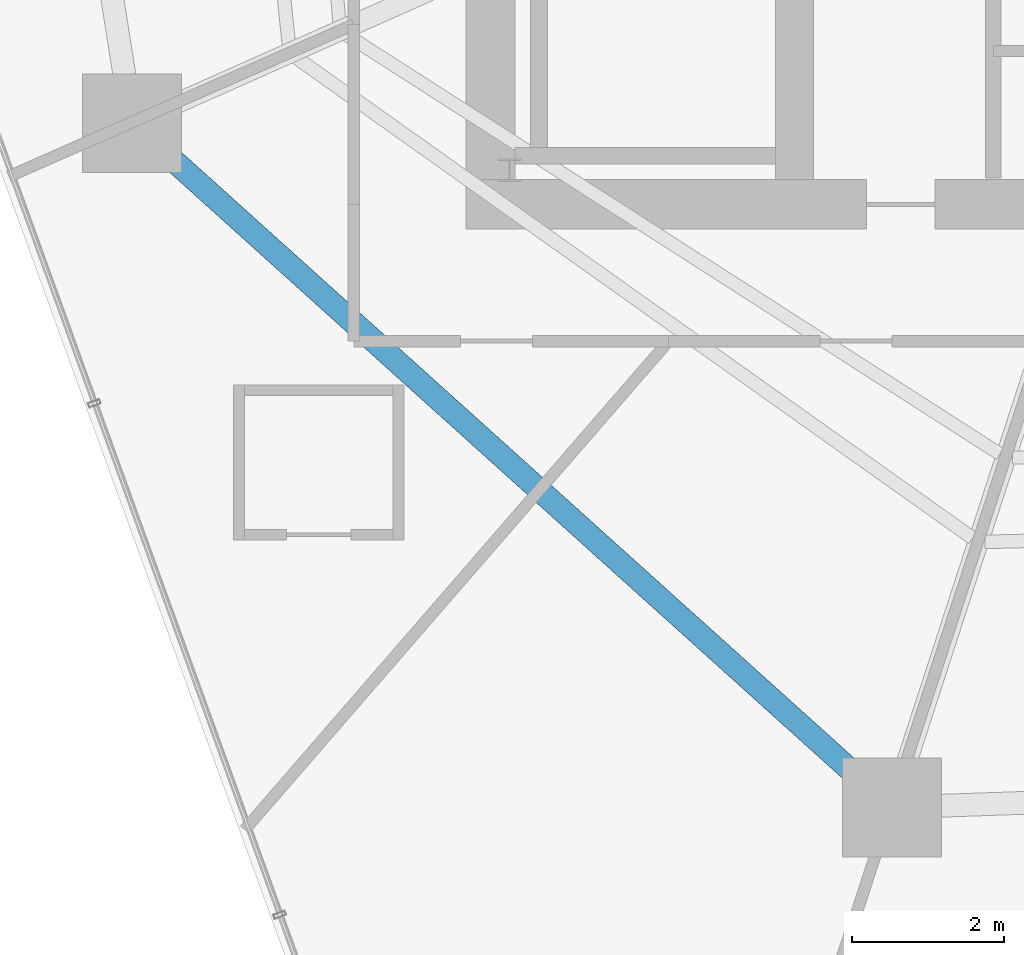
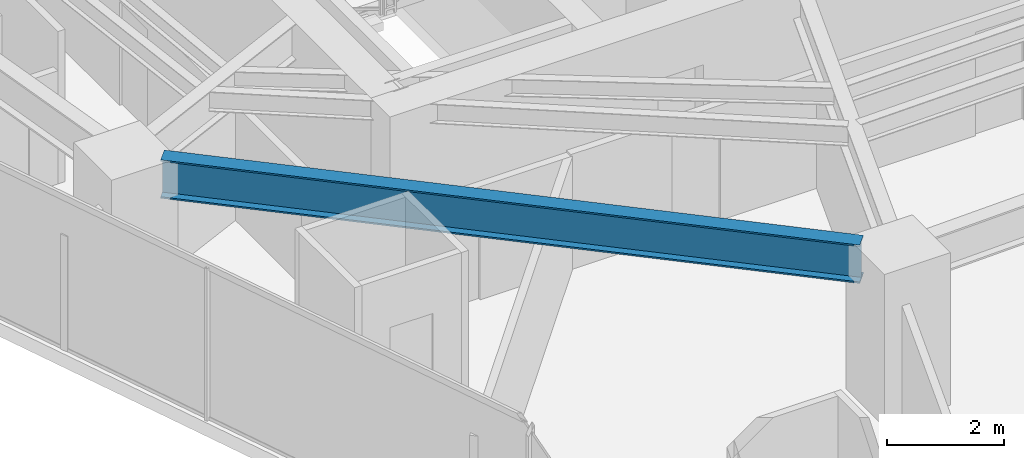
# One storey, part 4 of 33: 1 beam.
"""IFC4 building model written with IfcOpenShell, lengths in metres."""

from ifc_helpers import new_model, si_unit, direction, frame, origin, origin_2d, place, context, subcontext, project, spatial, i_section, extrude, material, material_profile, profile_set, type_object, element, save


model = new_model("IFC4")

# Units and contexts
model_context = context("Model", 3, precision=1e-05, world=origin(), true_north=direction((0.0, 1.0)))
body_context = subcontext(model_context, "Body", "Model", "MODEL_VIEW")
ifc_project = project(units=[si_unit("LENGTHUNIT", "METRE"), si_unit("AREAUNIT", "SQUARE_METRE"), si_unit("VOLUMEUNIT", "CUBIC_METRE"), si_unit("PLANEANGLEUNIT", "RADIAN"), si_unit("MASSUNIT", "GRAM", prefix="KILO")], contexts=[model_context])

# Site, building, storey
site_placement = place(None, origin())
site = spatial("IfcSite", under=ifc_project, at=site_placement, CompositionType="ELEMENT")
building_placement = place(site_placement, origin())
building = spatial("IfcBuilding", under=site, at=building_placement, Name="Qarnah Convention Tower", CompositionType="ELEMENT")
storey_placement = place(building_placement, frame((0.0, 0.0, 30.449951171875)))
storey = spatial("IfcBuildingStorey", under=building, at=storey_placement, Name="L06", CompositionType="ELEMENT", Elevation=30.449951171875)

# Beam
ifc_material = material(Name="Structural steel S355JR", Category="steel")
ifc_material_profile = material_profile(ifc_material, i_section(OverallWidth=0.300048828125, OverallDepth=0.800048828125, WebThickness=0.01806640625, FlangeThickness=0.032958984375, at=origin_2d()), Name="HEB800")
ifc_profile_set = profile_set([ifc_material_profile], Name="Structural steel S355JR")
beam_type = type_object("IfcBeamType", Name="BM-RING-HEB800", PredefinedType="BEAM", material=ifc_profile_set)
beam_placement = place(storey_placement, frame((22.556884765625, 19.240966796875, 2.77001953125), z_axis=(0.743082870291, -0.669199408159, 0.0), x_axis=(0.669199408159, 0.743082870291, 0.0)))
element("IfcBeam", 1, at=beam_placement, inside=storey, type_object=beam_type, Name="L06 beam BM-L06-SPN-06", PredefinedType="BEAM", context=body_context, shape_type="SweptSolid", body=[
    extrude(i_section(OverallWidth=0.300048828125, OverallDepth=0.800048828125, WebThickness=0.01806640625, FlangeThickness=0.032958984375, at=origin_2d()), origin(), (0.0, 0.0, 1.0), 12.183349609375),
])

save(model, "model.ifc")
